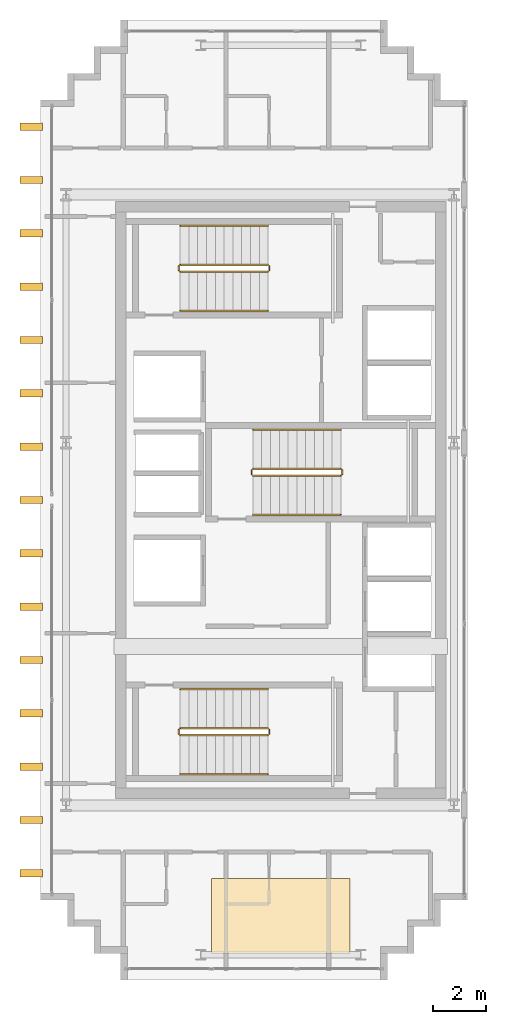
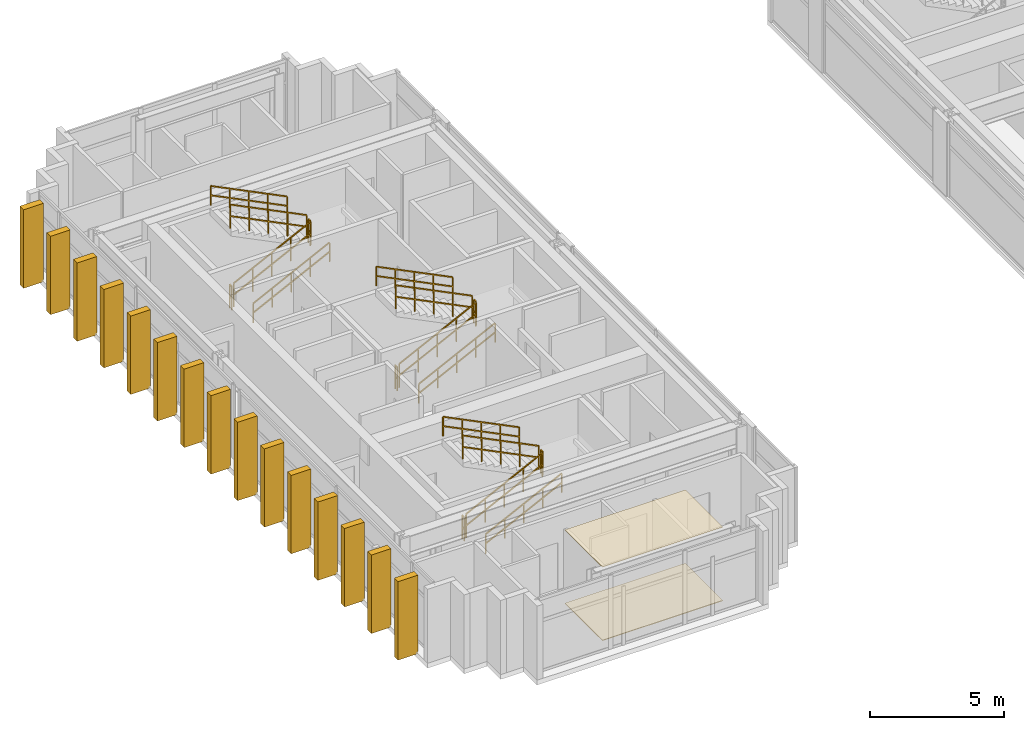
# One storey, part 24 of 25: 18 railings, 15 shading devices, 2 coverings.
"""IFC4 building model written with IfcOpenShell, lengths in metres."""

from ifc_helpers import new_model, si_unit, direction, frame, origin, origin_2d, place, context, subcontext, project, spatial, polyline, rectangle, outline, extrude, source, transform, mapped, material, layer, layer_set, type_object, element, save


model = new_model("IFC4")

# Units and contexts
model_context = context("Model", 3, precision=1e-05, world=origin(), true_north=direction((0.0, 1.0)))
body_context = subcontext(model_context, "Body", "Model", "MODEL_VIEW")
ifc_project = project(units=[si_unit("LENGTHUNIT", "METRE"), si_unit("AREAUNIT", "SQUARE_METRE"), si_unit("VOLUMEUNIT", "CUBIC_METRE"), si_unit("PLANEANGLEUNIT", "RADIAN"), si_unit("MASSUNIT", "GRAM", prefix="KILO")], contexts=[model_context])

# Site, building, storey
site_placement = place(None, origin())
site = spatial("IfcSite", under=ifc_project, at=site_placement, CompositionType="ELEMENT")
building_placement = place(site_placement, origin())
building = spatial("IfcBuilding", under=site, at=building_placement, Name="Ocotamira Hotel", CompositionType="ELEMENT")
storey_placement = place(building_placement, frame((0.0, 0.0, 265.199951171875)))
storey = spatial("IfcBuildingStorey", under=building, at=storey_placement, Name="L67", CompositionType="ELEMENT", Elevation=265.199951171875)

# Coverings
ifc_material_1 = material(Name="Perforated acoustic gypsum ceiling board", Category="gypsum")
ifc_layer_1 = layer(ifc_material_1, 0.02490234375)
ifc_layer_set_1 = layer_set([ifc_layer_1], Name="Perforated acoustic gypsum ceiling board")
covering_type_1 = type_object("IfcCoveringType", Name="COV-CEIL-25", PredefinedType="CEILING", material=ifc_layer_set_1)
covering_1_placement = place(storey_placement, frame((0.0, 0.0, 3.35498046875)))
element("IfcCovering", 1, at=covering_1_placement, inside=storey, type_object=covering_type_1, Name="L67 Acoustic Ceiling", PredefinedType="CEILING", context=body_context, shape_type="SweptSolid", body=[
    extrude(outline(polyline([(14.39990234375, 9.0), (19.60009765625, 9.0), (19.60009765625, 11.800048828125), (14.39990234375, 11.800048828125), (14.39990234375, 9.0)])), origin(), (0.0, 0.0, 1.0), 0.025146484375),
])
ifc_material_2 = material(Name="Honed desert travertine stone flooring", Category="masonry")
ifc_layer_2 = layer(ifc_material_2, 0.030029296875)
ifc_layer_set_2 = layer_set([ifc_layer_2], Name="Honed desert travertine stone flooring")
covering_type_2 = type_object("IfcCoveringType", Name="COV-FLOR-30", PredefinedType="FLOORING", material=ifc_layer_set_2)
covering_2_placement = place(storey_placement, origin())
element("IfcCovering", 2, at=covering_2_placement, inside=storey, type_object=covering_type_2, Name="L67 Honed Stone Floor Finish", PredefinedType="FLOORING", context=body_context, shape_type="SweptSolid", body=[
    extrude(outline(polyline([(14.39990234375, 9.0), (19.60009765625, 9.0), (19.60009765625, 11.800048828125), (14.39990234375, 11.800048828125), (14.39990234375, 9.0)])), origin(), (0.0, 0.0, 1.0), 0.030029296875),
])

# Railings
ifc_material_3 = material(Name="Brushed stainless steel handrail", Category="steel")
railing_type_1 = type_object("IfcRailingType", Name="RL-HAND-900", PredefinedType="HANDRAIL", material=ifc_material_3)
railing_1_placement = place(storey_placement, frame((13.22998046875, 15.719970703125, 0.327392578125)))
element("IfcRailing", 3, at=railing_1_placement, inside=storey, type_object=railing_type_1, Name="L67 ST-1 stair handrail 1", PredefinedType="HANDRAIL", context=body_context, shape_type="SweptSolid", body=[
    extrude(rectangle(XDim=0.048095703125, YDim=0.048095703125, at=origin_2d()), frame((0.0, 0.0, 0.8759765625), z_axis=(0.895920123917, 0.0, 0.444215186098), x_axis=(0.0, 1.0, 0.0)), (0.0, 0.0, 1.0), 3.683349609375),
    extrude(rectangle(XDim=0.048095703125, YDim=0.048095703125, at=origin_2d()), frame((0.0, 0.0, 0.449951171875), z_axis=(0.895920123917, 0.0, 0.444215186098), x_axis=(0.0, 1.0, 0.0)), (0.0, 0.0, 1.0), 3.683349609375),
    extrude(rectangle(XDim=0.0419921875, YDim=0.0419921875, at=origin_2d()), origin(), (0.0, 0.0, 1.0), 0.851806640625),
    extrude(rectangle(XDim=0.0419921875, YDim=0.0419921875, at=origin_2d()), frame((0.824951171875, 0.0, 0.4091796875)), (0.0, 0.0, 1.0), 0.851806640625),
    extrude(rectangle(XDim=0.0419921875, YDim=0.0419921875, at=origin_2d()), frame((1.64990234375, 0.0, 0.818115234375)), (0.0, 0.0, 1.0), 0.851806640625),
    extrude(rectangle(XDim=0.0419921875, YDim=0.0419921875, at=origin_2d()), frame((2.47509765625, 0.0, 1.22705078125)), (0.0, 0.0, 1.0), 0.851806640625),
    extrude(rectangle(XDim=0.0419921875, YDim=0.0419921875, at=origin_2d()), frame((3.300048828125, 0.0, 1.63623046875)), (0.0, 0.0, 1.0), 0.851806640625),
])
railing_2_placement = place(storey_placement, frame((16.530029296875, 18.89990234375, 2.12744140625)))
element("IfcRailing", 4, at=railing_2_placement, inside=storey, type_object=railing_type_1, Name="L67 ST-1 stair handrail 2", PredefinedType="HANDRAIL", context=body_context, shape_type="SweptSolid", body=[
    extrude(rectangle(XDim=0.048095703125, YDim=0.048095703125, at=origin_2d()), frame((0.0, 0.0, 0.8759765625), z_axis=(-0.895920123917, 0.0, 0.444215186098), x_axis=(0.0, -1.0, 0.0)), (0.0, 0.0, 1.0), 3.683349609375),
    extrude(rectangle(XDim=0.048095703125, YDim=0.048095703125, at=origin_2d()), frame((0.0, 0.0, 0.449951171875), z_axis=(-0.895920123917, 0.0, 0.444215186098), x_axis=(0.0, -1.0, 0.0)), (0.0, 0.0, 1.0), 3.683349609375),
    extrude(rectangle(XDim=0.0419921875, YDim=0.0419921875, at=origin_2d()), origin(), (0.0, 0.0, 1.0), 0.851806640625),
    extrude(rectangle(XDim=0.0419921875, YDim=0.0419921875, at=origin_2d()), frame((-0.824951171875, 0.0, 0.4091796875)), (0.0, 0.0, 1.0), 0.851806640625),
    extrude(rectangle(XDim=0.0419921875, YDim=0.0419921875, at=origin_2d()), frame((-1.64990234375, 0.0, 0.818115234375)), (0.0, 0.0, 1.0), 0.851806640625),
    extrude(rectangle(XDim=0.0419921875, YDim=0.0419921875, at=origin_2d()), frame((-2.47509765625, 0.0, 1.22705078125)), (0.0, 0.0, 1.0), 0.851806640625),
    extrude(rectangle(XDim=0.0419921875, YDim=0.0419921875, at=origin_2d()), frame((-3.300048828125, 0.0, 1.63623046875)), (0.0, 0.0, 1.0), 0.851806640625),
])
railing_3_placement = place(storey_placement, frame((13.22998046875, 33.10009765625, 0.327392578125)))
element("IfcRailing", 5, at=railing_3_placement, inside=storey, type_object=railing_type_1, Name="L67 ST-2 stair handrail 1", PredefinedType="HANDRAIL", context=body_context, shape_type="SweptSolid", body=[
    extrude(rectangle(XDim=0.048095703125, YDim=0.048095703125, at=origin_2d()), frame((0.0, 0.0, 0.8759765625), z_axis=(0.895920123917, 0.0, 0.444215186098), x_axis=(0.0, 1.0, 0.0)), (0.0, 0.0, 1.0), 3.683349609375),
    extrude(rectangle(XDim=0.048095703125, YDim=0.048095703125, at=origin_2d()), frame((0.0, 0.0, 0.449951171875), z_axis=(0.895920123917, 0.0, 0.444215186098), x_axis=(0.0, 1.0, 0.0)), (0.0, 0.0, 1.0), 3.683349609375),
    extrude(rectangle(XDim=0.0419921875, YDim=0.0419921875, at=origin_2d()), origin(), (0.0, 0.0, 1.0), 0.851806640625),
    extrude(rectangle(XDim=0.0419921875, YDim=0.0419921875, at=origin_2d()), frame((0.824951171875, 0.0, 0.4091796875)), (0.0, 0.0, 1.0), 0.851806640625),
    extrude(rectangle(XDim=0.0419921875, YDim=0.0419921875, at=origin_2d()), frame((1.64990234375, 0.0, 0.818115234375)), (0.0, 0.0, 1.0), 0.851806640625),
    extrude(rectangle(XDim=0.0419921875, YDim=0.0419921875, at=origin_2d()), frame((2.47509765625, 0.0, 1.22705078125)), (0.0, 0.0, 1.0), 0.851806640625),
    extrude(rectangle(XDim=0.0419921875, YDim=0.0419921875, at=origin_2d()), frame((3.300048828125, 0.0, 1.63623046875)), (0.0, 0.0, 1.0), 0.851806640625),
])
railing_4_placement = place(storey_placement, frame((16.530029296875, 36.280029296875, 2.12744140625)))
element("IfcRailing", 6, at=railing_4_placement, inside=storey, type_object=railing_type_1, Name="L67 ST-2 stair handrail 2", PredefinedType="HANDRAIL", context=body_context, shape_type="SweptSolid", body=[
    extrude(rectangle(XDim=0.048095703125, YDim=0.048095703125, at=origin_2d()), frame((0.0, 0.0, 0.8759765625), z_axis=(-0.895920123917, 0.0, 0.444215186098), x_axis=(0.0, -1.0, 0.0)), (0.0, 0.0, 1.0), 3.683349609375),
    extrude(rectangle(XDim=0.048095703125, YDim=0.048095703125, at=origin_2d()), frame((0.0, 0.0, 0.449951171875), z_axis=(-0.895920123917, 0.0, 0.444215186098), x_axis=(0.0, -1.0, 0.0)), (0.0, 0.0, 1.0), 3.683349609375),
    extrude(rectangle(XDim=0.0419921875, YDim=0.0419921875, at=origin_2d()), origin(), (0.0, 0.0, 1.0), 0.851806640625),
    extrude(rectangle(XDim=0.0419921875, YDim=0.0419921875, at=origin_2d()), frame((-0.824951171875, 0.0, 0.4091796875)), (0.0, 0.0, 1.0), 0.851806640625),
    extrude(rectangle(XDim=0.0419921875, YDim=0.0419921875, at=origin_2d()), frame((-1.64990234375, 0.0, 0.818115234375)), (0.0, 0.0, 1.0), 0.851806640625),
    extrude(rectangle(XDim=0.0419921875, YDim=0.0419921875, at=origin_2d()), frame((-2.47509765625, 0.0, 1.22705078125)), (0.0, 0.0, 1.0), 0.851806640625),
    extrude(rectangle(XDim=0.0419921875, YDim=0.0419921875, at=origin_2d()), frame((-3.300048828125, 0.0, 1.63623046875)), (0.0, 0.0, 1.0), 0.851806640625),
])
railing_5_placement = place(storey_placement, frame((15.9599609375, 25.449951171875, 0.327392578125)))
element("IfcRailing", 7, at=railing_5_placement, inside=storey, type_object=railing_type_1, Name="L67 ST-3 stair handrail 1", PredefinedType="HANDRAIL", context=body_context, shape_type="SweptSolid", body=[
    extrude(rectangle(XDim=0.048095703125, YDim=0.048095703125, at=origin_2d()), frame((0.0, 0.0, 0.8759765625), z_axis=(0.895920123917, 0.0, 0.444215186098), x_axis=(0.0, 1.0, 0.0)), (0.0, 0.0, 1.0), 3.683349609375),
    extrude(rectangle(XDim=0.048095703125, YDim=0.048095703125, at=origin_2d()), frame((0.0, 0.0, 0.449951171875), z_axis=(0.895920123917, 0.0, 0.444215186098), x_axis=(0.0, 1.0, 0.0)), (0.0, 0.0, 1.0), 3.683349609375),
    extrude(rectangle(XDim=0.0419921875, YDim=0.0419921875, at=origin_2d()), origin(), (0.0, 0.0, 1.0), 0.851806640625),
    extrude(rectangle(XDim=0.0419921875, YDim=0.0419921875, at=origin_2d()), frame((0.824951171875, 0.0, 0.4091796875)), (0.0, 0.0, 1.0), 0.851806640625),
    extrude(rectangle(XDim=0.0419921875, YDim=0.0419921875, at=origin_2d()), frame((1.64990234375, 0.0, 0.818115234375)), (0.0, 0.0, 1.0), 0.851806640625),
    extrude(rectangle(XDim=0.0419921875, YDim=0.0419921875, at=origin_2d()), frame((2.47509765625, 0.0, 1.22705078125)), (0.0, 0.0, 1.0), 0.851806640625),
    extrude(rectangle(XDim=0.0419921875, YDim=0.0419921875, at=origin_2d()), frame((3.300048828125, 0.0, 1.63623046875)), (0.0, 0.0, 1.0), 0.851806640625),
])
railing_6_placement = place(storey_placement, frame((19.260009765625, 28.6298828125, 2.12744140625)))
element("IfcRailing", 8, at=railing_6_placement, inside=storey, type_object=railing_type_1, Name="L67 ST-3 stair handrail 2", PredefinedType="HANDRAIL", context=body_context, shape_type="SweptSolid", body=[
    extrude(rectangle(XDim=0.048095703125, YDim=0.048095703125, at=origin_2d()), frame((0.0, 0.0, 0.8759765625), z_axis=(-0.895920123917, 0.0, 0.444215186098), x_axis=(0.0, -1.0, 0.0)), (0.0, 0.0, 1.0), 3.683349609375),
    extrude(rectangle(XDim=0.048095703125, YDim=0.048095703125, at=origin_2d()), frame((0.0, 0.0, 0.449951171875), z_axis=(-0.895920123917, 0.0, 0.444215186098), x_axis=(0.0, -1.0, 0.0)), (0.0, 0.0, 1.0), 3.683349609375),
    extrude(rectangle(XDim=0.0419921875, YDim=0.0419921875, at=origin_2d()), origin(), (0.0, 0.0, 1.0), 0.851806640625),
    extrude(rectangle(XDim=0.0419921875, YDim=0.0419921875, at=origin_2d()), frame((-0.824951171875, 0.0, 0.4091796875)), (0.0, 0.0, 1.0), 0.851806640625),
    extrude(rectangle(XDim=0.0419921875, YDim=0.0419921875, at=origin_2d()), frame((-1.64990234375, 0.0, 0.818115234375)), (0.0, 0.0, 1.0), 0.851806640625),
    extrude(rectangle(XDim=0.0419921875, YDim=0.0419921875, at=origin_2d()), frame((-2.47509765625, 0.0, 1.22705078125)), (0.0, 0.0, 1.0), 0.851806640625),
    extrude(rectangle(XDim=0.0419921875, YDim=0.0419921875, at=origin_2d()), frame((-3.300048828125, 0.0, 1.63623046875)), (0.0, 0.0, 1.0), 0.851806640625),
])
ifc_material_4 = material(Name="Painted steel stair guardrail", Category="steel")
railing_type_2 = type_object("IfcRailingType", Name="RL-STAIR-1100", PredefinedType="GUARDRAIL", material=ifc_material_4)
railing_7_placement = place(storey_placement, frame((13.22998046875, 17.179931640625, 0.16357421875)))
element("IfcRailing", 9, at=railing_7_placement, inside=storey, type_object=railing_type_2, Name="L67 ST-1 stair guard 1", PredefinedType="GUARDRAIL", context=body_context, shape_type="SweptSolid", body=[
    extrude(rectangle(XDim=0.048095703125, YDim=0.048095703125, at=origin_2d()), frame((0.0, 0.0, 1.076171875), z_axis=(0.895893744519, 0.0, 0.4442683857), x_axis=(0.0, 1.0, 0.0)), (0.0, 0.0, 1.0), 3.68359375),
    extrude(rectangle(XDim=0.048095703125, YDim=0.048095703125, at=origin_2d()), frame((0.0, 0.0, 0.550048828125), z_axis=(0.895893744519, 0.0, 0.4442683857), x_axis=(0.0, 1.0, 0.0)), (0.0, 0.0, 1.0), 3.68359375),
    extrude(rectangle(XDim=0.0419921875, YDim=0.0419921875, at=origin_2d()), origin(), (0.0, 0.0, 1.0), 1.052001953125),
    extrude(rectangle(XDim=0.0419921875, YDim=0.0419921875, at=origin_2d()), frame((0.824951171875, 0.0, 0.4091796875)), (0.0, 0.0, 1.0), 1.052001953125),
    extrude(rectangle(XDim=0.0419921875, YDim=0.0419921875, at=origin_2d()), frame((1.64990234375, 0.0, 0.818359375)), (0.0, 0.0, 1.0), 1.052001953125),
    extrude(rectangle(XDim=0.0419921875, YDim=0.0419921875, at=origin_2d()), frame((2.47509765625, 0.0, 1.227294921875)), (0.0, 0.0, 1.0), 1.052001953125),
    extrude(rectangle(XDim=0.0419921875, YDim=0.0419921875, at=origin_2d()), frame((3.300048828125, 0.0, 1.636474609375)), (0.0, 0.0, 1.0), 1.052001953125),
])
railing_8_placement = place(storey_placement, frame((16.580078125, 17.22998046875, 1.800048828125)))
element("IfcRailing", 10, at=railing_8_placement, inside=storey, type_object=railing_type_2, Name="L67 ST-1 stair guard 2", PredefinedType="GUARDRAIL", context=body_context, shape_type="SweptSolid", body=[
    extrude(rectangle(XDim=0.048095703125, YDim=0.048095703125, at=origin_2d()), frame((0.0, 0.0, 1.076171875), z_axis=(0.0, 1.0, 0.0), x_axis=(-1.0, 0.0, 0.0)), (0.0, 0.0, 1.0), 0.159912109375),
    extrude(rectangle(XDim=0.048095703125, YDim=0.048095703125, at=origin_2d()), frame((0.0, 0.0, 0.550048828125), z_axis=(0.0, 1.0, 0.0), x_axis=(-1.0, 0.0, 0.0)), (0.0, 0.0, 1.0), 0.159912109375),
    extrude(rectangle(XDim=0.0419921875, YDim=0.0419921875, at=origin_2d()), origin(), (0.0, 0.0, 1.0), 1.052001953125),
    extrude(rectangle(XDim=0.0419921875, YDim=0.0419921875, at=origin_2d()), frame((0.0, 0.159912109375, 0.0)), (0.0, 0.0, 1.0), 1.052001953125),
])
railing_9_placement = place(storey_placement, frame((16.530029296875, 17.43994140625, 1.963623046875)))
element("IfcRailing", 11, at=railing_9_placement, inside=storey, type_object=railing_type_2, Name="L67 ST-1 stair guard 3", PredefinedType="GUARDRAIL", context=body_context, shape_type="SweptSolid", body=[
    extrude(rectangle(XDim=0.048095703125, YDim=0.048095703125, at=origin_2d()), frame((0.0, 0.0, 1.076171875), z_axis=(-0.895893744519, 0.0, 0.4442683857), x_axis=(0.0, -1.0, 0.0)), (0.0, 0.0, 1.0), 3.68359375),
    extrude(rectangle(XDim=0.048095703125, YDim=0.048095703125, at=origin_2d()), frame((0.0, 0.0, 0.550048828125), z_axis=(-0.895893744519, 0.0, 0.4442683857), x_axis=(0.0, -1.0, 0.0)), (0.0, 0.0, 1.0), 3.68359375),
    extrude(rectangle(XDim=0.0419921875, YDim=0.0419921875, at=origin_2d()), origin(), (0.0, 0.0, 1.0), 1.052001953125),
    extrude(rectangle(XDim=0.0419921875, YDim=0.0419921875, at=origin_2d()), frame((-0.824951171875, 0.0, 0.4091796875)), (0.0, 0.0, 1.0), 1.052001953125),
    extrude(rectangle(XDim=0.0419921875, YDim=0.0419921875, at=origin_2d()), frame((-1.64990234375, 0.0, 0.818359375)), (0.0, 0.0, 1.0), 1.052001953125),
    extrude(rectangle(XDim=0.0419921875, YDim=0.0419921875, at=origin_2d()), frame((-2.47509765625, 0.0, 1.227294921875)), (0.0, 0.0, 1.0), 1.052001953125),
    extrude(rectangle(XDim=0.0419921875, YDim=0.0419921875, at=origin_2d()), frame((-3.300048828125, 0.0, 1.636474609375)), (0.0, 0.0, 1.0), 1.052001953125),
])
railing_10_placement = place(storey_placement, frame((13.179931640625, 17.22998046875, 0.0)))
element("IfcRailing", 12, at=railing_10_placement, inside=storey, type_object=railing_type_2, Name="L67 ST-1 stair guard 4", PredefinedType="GUARDRAIL", context=body_context, shape_type="SweptSolid", body=[
    extrude(rectangle(XDim=0.048095703125, YDim=0.048095703125, at=origin_2d()), frame((0.0, 0.0, 1.076171875), z_axis=(0.0, 1.0, 0.0), x_axis=(-1.0, 0.0, 0.0)), (0.0, 0.0, 1.0), 0.159912109375),
    extrude(rectangle(XDim=0.048095703125, YDim=0.048095703125, at=origin_2d()), frame((0.0, 0.0, 0.550048828125), z_axis=(0.0, 1.0, 0.0), x_axis=(-1.0, 0.0, 0.0)), (0.0, 0.0, 1.0), 0.159912109375),
    extrude(rectangle(XDim=0.0419921875, YDim=0.0419921875, at=origin_2d()), origin(), (0.0, 0.0, 1.0), 1.052001953125),
    extrude(rectangle(XDim=0.0419921875, YDim=0.0419921875, at=origin_2d()), frame((0.0, 0.159912109375, 0.0)), (0.0, 0.0, 1.0), 1.052001953125),
])
railing_11_placement = place(storey_placement, frame((13.22998046875, 34.56005859375, 0.16357421875)))
element("IfcRailing", 13, at=railing_11_placement, inside=storey, type_object=railing_type_2, Name="L67 ST-2 stair guard 1", PredefinedType="GUARDRAIL", context=body_context, shape_type="SweptSolid", body=[
    extrude(rectangle(XDim=0.048095703125, YDim=0.048095703125, at=origin_2d()), frame((0.0, 0.0, 1.076171875), z_axis=(0.895893744519, 0.0, 0.4442683857), x_axis=(0.0, 1.0, 0.0)), (0.0, 0.0, 1.0), 3.68359375),
    extrude(rectangle(XDim=0.048095703125, YDim=0.048095703125, at=origin_2d()), frame((0.0, 0.0, 0.550048828125), z_axis=(0.895893744519, 0.0, 0.4442683857), x_axis=(0.0, 1.0, 0.0)), (0.0, 0.0, 1.0), 3.68359375),
    extrude(rectangle(XDim=0.0419921875, YDim=0.0419921875, at=origin_2d()), origin(), (0.0, 0.0, 1.0), 1.052001953125),
    extrude(rectangle(XDim=0.0419921875, YDim=0.0419921875, at=origin_2d()), frame((0.824951171875, 0.0, 0.4091796875)), (0.0, 0.0, 1.0), 1.052001953125),
    extrude(rectangle(XDim=0.0419921875, YDim=0.0419921875, at=origin_2d()), frame((1.64990234375, 0.0, 0.818359375)), (0.0, 0.0, 1.0), 1.052001953125),
    extrude(rectangle(XDim=0.0419921875, YDim=0.0419921875, at=origin_2d()), frame((2.47509765625, 0.0, 1.227294921875)), (0.0, 0.0, 1.0), 1.052001953125),
    extrude(rectangle(XDim=0.0419921875, YDim=0.0419921875, at=origin_2d()), frame((3.300048828125, 0.0, 1.636474609375)), (0.0, 0.0, 1.0), 1.052001953125),
])
railing_12_placement = place(storey_placement, frame((16.580078125, 34.610107421875, 1.800048828125)))
element("IfcRailing", 14, at=railing_12_placement, inside=storey, type_object=railing_type_2, Name="L67 ST-2 stair guard 2", PredefinedType="GUARDRAIL", context=body_context, shape_type="SweptSolid", body=[
    extrude(rectangle(XDim=0.048095703125, YDim=0.048095703125, at=origin_2d()), frame((0.0, 0.0, 1.076171875), z_axis=(0.0, 1.0, 0.0), x_axis=(-1.0, 0.0, 0.0)), (0.0, 0.0, 1.0), 0.159912109375),
    extrude(rectangle(XDim=0.048095703125, YDim=0.048095703125, at=origin_2d()), frame((0.0, 0.0, 0.550048828125), z_axis=(0.0, 1.0, 0.0), x_axis=(-1.0, 0.0, 0.0)), (0.0, 0.0, 1.0), 0.159912109375),
    extrude(rectangle(XDim=0.0419921875, YDim=0.0419921875, at=origin_2d()), origin(), (0.0, 0.0, 1.0), 1.052001953125),
    extrude(rectangle(XDim=0.0419921875, YDim=0.0419921875, at=origin_2d()), frame((0.0, 0.159912109375, 0.0)), (0.0, 0.0, 1.0), 1.052001953125),
])
railing_13_placement = place(storey_placement, frame((16.530029296875, 34.820068359375, 1.963623046875)))
element("IfcRailing", 15, at=railing_13_placement, inside=storey, type_object=railing_type_2, Name="L67 ST-2 stair guard 3", PredefinedType="GUARDRAIL", context=body_context, shape_type="SweptSolid", body=[
    extrude(rectangle(XDim=0.048095703125, YDim=0.048095703125, at=origin_2d()), frame((0.0, 0.0, 1.076171875), z_axis=(-0.895893744519, 0.0, 0.4442683857), x_axis=(0.0, -1.0, 0.0)), (0.0, 0.0, 1.0), 3.68359375),
    extrude(rectangle(XDim=0.048095703125, YDim=0.048095703125, at=origin_2d()), frame((0.0, 0.0, 0.550048828125), z_axis=(-0.895893744519, 0.0, 0.4442683857), x_axis=(0.0, -1.0, 0.0)), (0.0, 0.0, 1.0), 3.68359375),
    extrude(rectangle(XDim=0.0419921875, YDim=0.0419921875, at=origin_2d()), origin(), (0.0, 0.0, 1.0), 1.052001953125),
    extrude(rectangle(XDim=0.0419921875, YDim=0.0419921875, at=origin_2d()), frame((-0.824951171875, 0.0, 0.4091796875)), (0.0, 0.0, 1.0), 1.052001953125),
    extrude(rectangle(XDim=0.0419921875, YDim=0.0419921875, at=origin_2d()), frame((-1.64990234375, 0.0, 0.818359375)), (0.0, 0.0, 1.0), 1.052001953125),
    extrude(rectangle(XDim=0.0419921875, YDim=0.0419921875, at=origin_2d()), frame((-2.47509765625, 0.0, 1.227294921875)), (0.0, 0.0, 1.0), 1.052001953125),
    extrude(rectangle(XDim=0.0419921875, YDim=0.0419921875, at=origin_2d()), frame((-3.300048828125, 0.0, 1.636474609375)), (0.0, 0.0, 1.0), 1.052001953125),
])
railing_14_placement = place(storey_placement, frame((13.179931640625, 34.610107421875, 0.0)))
element("IfcRailing", 16, at=railing_14_placement, inside=storey, type_object=railing_type_2, Name="L67 ST-2 stair guard 4", PredefinedType="GUARDRAIL", context=body_context, shape_type="SweptSolid", body=[
    extrude(rectangle(XDim=0.048095703125, YDim=0.048095703125, at=origin_2d()), frame((0.0, 0.0, 1.076171875), z_axis=(0.0, 1.0, 0.0), x_axis=(-1.0, 0.0, 0.0)), (0.0, 0.0, 1.0), 0.159912109375),
    extrude(rectangle(XDim=0.048095703125, YDim=0.048095703125, at=origin_2d()), frame((0.0, 0.0, 0.550048828125), z_axis=(0.0, 1.0, 0.0), x_axis=(-1.0, 0.0, 0.0)), (0.0, 0.0, 1.0), 0.159912109375),
    extrude(rectangle(XDim=0.0419921875, YDim=0.0419921875, at=origin_2d()), origin(), (0.0, 0.0, 1.0), 1.052001953125),
    extrude(rectangle(XDim=0.0419921875, YDim=0.0419921875, at=origin_2d()), frame((0.0, 0.159912109375, 0.0)), (0.0, 0.0, 1.0), 1.052001953125),
])
railing_15_placement = place(storey_placement, frame((15.9599609375, 26.909912109375, 0.16357421875)))
element("IfcRailing", 17, at=railing_15_placement, inside=storey, type_object=railing_type_2, Name="L67 ST-3 stair guard 1", PredefinedType="GUARDRAIL", context=body_context, shape_type="SweptSolid", body=[
    extrude(rectangle(XDim=0.048095703125, YDim=0.048095703125, at=origin_2d()), frame((0.0, 0.0, 1.076171875), z_axis=(0.895893744519, 0.0, 0.4442683857), x_axis=(0.0, 1.0, 0.0)), (0.0, 0.0, 1.0), 3.68359375),
    extrude(rectangle(XDim=0.048095703125, YDim=0.048095703125, at=origin_2d()), frame((0.0, 0.0, 0.550048828125), z_axis=(0.895893744519, 0.0, 0.4442683857), x_axis=(0.0, 1.0, 0.0)), (0.0, 0.0, 1.0), 3.68359375),
    extrude(rectangle(XDim=0.0419921875, YDim=0.0419921875, at=origin_2d()), origin(), (0.0, 0.0, 1.0), 1.052001953125),
    extrude(rectangle(XDim=0.0419921875, YDim=0.0419921875, at=origin_2d()), frame((0.824951171875, 0.0, 0.4091796875)), (0.0, 0.0, 1.0), 1.052001953125),
    extrude(rectangle(XDim=0.0419921875, YDim=0.0419921875, at=origin_2d()), frame((1.64990234375, 0.0, 0.818359375)), (0.0, 0.0, 1.0), 1.052001953125),
    extrude(rectangle(XDim=0.0419921875, YDim=0.0419921875, at=origin_2d()), frame((2.47509765625, 0.0, 1.227294921875)), (0.0, 0.0, 1.0), 1.052001953125),
    extrude(rectangle(XDim=0.0419921875, YDim=0.0419921875, at=origin_2d()), frame((3.300048828125, 0.0, 1.636474609375)), (0.0, 0.0, 1.0), 1.052001953125),
])
railing_16_placement = place(storey_placement, frame((19.31005859375, 26.9599609375, 1.800048828125)))
element("IfcRailing", 18, at=railing_16_placement, inside=storey, type_object=railing_type_2, Name="L67 ST-3 stair guard 2", PredefinedType="GUARDRAIL", context=body_context, shape_type="SweptSolid", body=[
    extrude(rectangle(XDim=0.048095703125, YDim=0.048095703125, at=origin_2d()), frame((0.0, 0.0, 1.076171875), z_axis=(0.0, 1.0, 0.0), x_axis=(-1.0, 0.0, 0.0)), (0.0, 0.0, 1.0), 0.16015625),
    extrude(rectangle(XDim=0.048095703125, YDim=0.048095703125, at=origin_2d()), frame((0.0, 0.0, 0.550048828125), z_axis=(0.0, 1.0, 0.0), x_axis=(-1.0, 0.0, 0.0)), (0.0, 0.0, 1.0), 0.16015625),
    extrude(rectangle(XDim=0.0419921875, YDim=0.0419921875, at=origin_2d()), origin(), (0.0, 0.0, 1.0), 1.052001953125),
    extrude(rectangle(XDim=0.0419921875, YDim=0.0419921875, at=origin_2d()), frame((0.0, 0.16015625, 0.0)), (0.0, 0.0, 1.0), 1.052001953125),
])
railing_17_placement = place(storey_placement, frame((19.260009765625, 27.169921875, 1.963623046875)))
element("IfcRailing", 19, at=railing_17_placement, inside=storey, type_object=railing_type_2, Name="L67 ST-3 stair guard 3", PredefinedType="GUARDRAIL", context=body_context, shape_type="SweptSolid", body=[
    extrude(rectangle(XDim=0.048095703125, YDim=0.048095703125, at=origin_2d()), frame((0.0, 0.0, 1.076171875), z_axis=(-0.895893744519, 0.0, 0.4442683857), x_axis=(0.0, -1.0, 0.0)), (0.0, 0.0, 1.0), 3.68359375),
    extrude(rectangle(XDim=0.048095703125, YDim=0.048095703125, at=origin_2d()), frame((0.0, 0.0, 0.550048828125), z_axis=(-0.895893744519, 0.0, 0.4442683857), x_axis=(0.0, -1.0, 0.0)), (0.0, 0.0, 1.0), 3.68359375),
    extrude(rectangle(XDim=0.0419921875, YDim=0.0419921875, at=origin_2d()), origin(), (0.0, 0.0, 1.0), 1.052001953125),
    extrude(rectangle(XDim=0.0419921875, YDim=0.0419921875, at=origin_2d()), frame((-0.824951171875, 0.0, 0.4091796875)), (0.0, 0.0, 1.0), 1.052001953125),
    extrude(rectangle(XDim=0.0419921875, YDim=0.0419921875, at=origin_2d()), frame((-1.64990234375, 0.0, 0.818359375)), (0.0, 0.0, 1.0), 1.052001953125),
    extrude(rectangle(XDim=0.0419921875, YDim=0.0419921875, at=origin_2d()), frame((-2.47509765625, 0.0, 1.227294921875)), (0.0, 0.0, 1.0), 1.052001953125),
    extrude(rectangle(XDim=0.0419921875, YDim=0.0419921875, at=origin_2d()), frame((-3.300048828125, 0.0, 1.636474609375)), (0.0, 0.0, 1.0), 1.052001953125),
])
railing_18_placement = place(storey_placement, frame((15.909912109375, 26.9599609375, 0.0)))
element("IfcRailing", 20, at=railing_18_placement, inside=storey, type_object=railing_type_2, Name="L67 ST-3 stair guard 4", PredefinedType="GUARDRAIL", context=body_context, shape_type="SweptSolid", body=[
    extrude(rectangle(XDim=0.048095703125, YDim=0.048095703125, at=origin_2d()), frame((0.0, 0.0, 1.076171875), z_axis=(0.0, 1.0, 0.0), x_axis=(-1.0, 0.0, 0.0)), (0.0, 0.0, 1.0), 0.16015625),
    extrude(rectangle(XDim=0.048095703125, YDim=0.048095703125, at=origin_2d()), frame((0.0, 0.0, 0.550048828125), z_axis=(0.0, 1.0, 0.0), x_axis=(-1.0, 0.0, 0.0)), (0.0, 0.0, 1.0), 0.16015625),
    extrude(rectangle(XDim=0.0419921875, YDim=0.0419921875, at=origin_2d()), origin(), (0.0, 0.0, 1.0), 1.052001953125),
    extrude(rectangle(XDim=0.0419921875, YDim=0.0419921875, at=origin_2d()), frame((0.0, 0.16015625, 0.0)), (0.0, 0.0, 1.0), 1.052001953125),
])

# Shading devices
ifc_material_5 = material(Name="Pale-metal anodised aluminium architectural fin", Category="aluminium")
shading_device_type = type_object("IfcShadingDeviceType", Name="SHD-PIER-850", PredefinedType="USERDEFINED", material=ifc_material_5)
shared_shape = source(origin(), body_context, "Body", "SweptSolid", [
    extrude(rectangle(XDim=0.85009765625, YDim=0.280029296875, at=origin_2d()), origin(), (0.0, 0.0, 1.0), 3.580078125),
])
for number, where, z_axis, x_axis, name in (
    (21, (7.64990234375, 12.0, -0.10009765625), (0.0, 0.0, 1.0), (1.0, 0.0, 0.0), "L67 Vertical Pale-Metal Pier W Y12"),
    (22, (7.64990234375, 14.0, -0.10009765625), (0.0, 0.0, 1.0), (1.0, 0.0, 0.0), "L67 Vertical Pale-Metal Pier W Y14"),
    (23, (7.64990234375, 16.0, -0.10009765625), (0.0, 0.0, 1.0), (1.0, 0.0, 0.0), "L67 Vertical Pale-Metal Pier W Y16"),
    (24, (7.64990234375, 18.0, -0.10009765625), (0.0, 0.0, 1.0), (1.0, 0.0, 0.0), "L67 Vertical Pale-Metal Pier W Y18"),
    (25, (7.64990234375, 20.0, -0.10009765625), (0.0, 0.0, 1.0), (1.0, 0.0, 0.0), "L67 Vertical Pale-Metal Pier W Y20"),
    (26, (7.64990234375, 22.0, -0.10009765625), (0.0, 0.0, 1.0), (1.0, 0.0, 0.0), "L67 Vertical Pale-Metal Pier W Y22"),
    (27, (7.64990234375, 24.0, -0.10009765625), (0.0, 0.0, 1.0), (1.0, 0.0, 0.0), "L67 Vertical Pale-Metal Pier W Y24"),
    (28, (7.64990234375, 26.0, -0.10009765625), (0.0, 0.0, 1.0), (1.0, 0.0, 0.0), "L67 Vertical Pale-Metal Pier W Y26"),
    (29, (7.64990234375, 28.0, -0.10009765625), (0.0, 0.0, 1.0), (1.0, 0.0, 0.0), "L67 Vertical Pale-Metal Pier W Y28"),
    (30, (7.64990234375, 30.0, -0.10009765625), (0.0, 0.0, 1.0), (1.0, 0.0, 0.0), "L67 Vertical Pale-Metal Pier W Y30"),
    (31, (7.64990234375, 32.0, -0.10009765625), (0.0, 0.0, 1.0), (1.0, 0.0, 0.0), "L67 Vertical Pale-Metal Pier W Y32"),
    (32, (7.64990234375, 34.0, -0.10009765625), (0.0, 0.0, 1.0), (1.0, 0.0, 0.0), "L67 Vertical Pale-Metal Pier W Y34"),
    (33, (7.64990234375, 36.0, -0.10009765625), (0.0, 0.0, 1.0), (1.0, 0.0, 0.0), "L67 Vertical Pale-Metal Pier W Y36"),
    (34, (7.64990234375, 38.0, -0.10009765625), (0.0, 0.0, 1.0), (1.0, 0.0, 0.0), "L67 Vertical Pale-Metal Pier W Y38"),
    (35, (7.64990234375, 40.0, -0.10009765625), (0.0, 0.0, 1.0), (1.0, 0.0, 0.0), "L67 Vertical Pale-Metal Pier W Y40"),
):
    element("IfcShadingDevice", number, at=place(storey_placement, frame(where, z_axis=z_axis, x_axis=x_axis)), inside=storey, type_object=shading_device_type, Name=name, ObjectType="FIN", PredefinedType="USERDEFINED", context=body_context, shape_type="MappedRepresentation", body=[
        mapped(shared_shape, transform((0.0, 0.0, 0.0), scale=1.0)),
    ])

save(model, "model.ifc")
